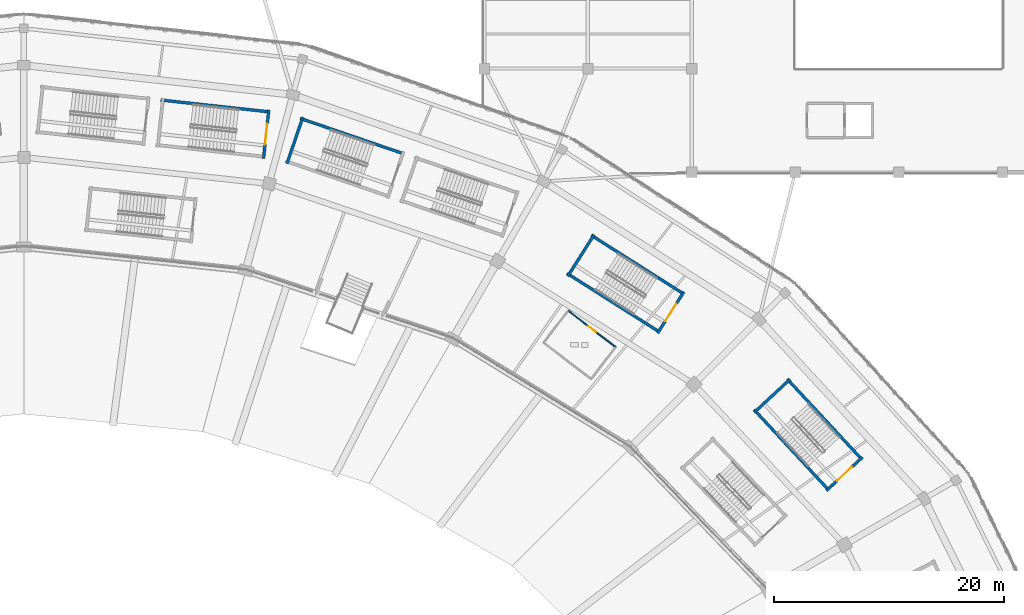
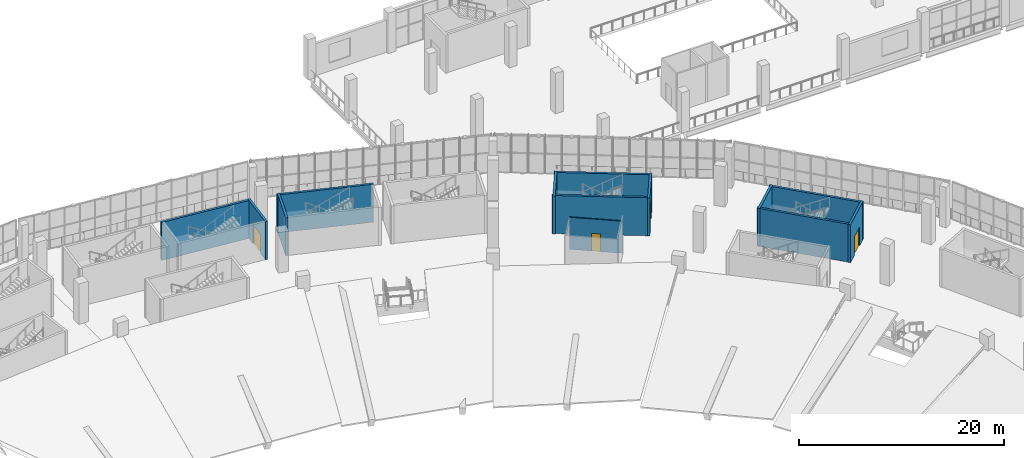
# One storey, part 111 of 183: 13 walls, 4 doors, 4 openings.
"""IFC4 building model written with IfcOpenShell, lengths in metres."""

from ifc_helpers import new_model, si_unit, direction, frame, frame_2d, origin, place, context, subcontext, project, spatial, rectangle, extrude, material, layer, layer_set, type_object, element, fill, save


model = new_model("IFC4")

# Units and contexts
model_context = context("Model", 3, precision=1e-05, world=origin(), true_north=direction((0.0, 1.0)))
body_context = subcontext(model_context, "Body", "Model", "MODEL_VIEW")
ifc_project = project(units=[si_unit("LENGTHUNIT", "METRE"), si_unit("AREAUNIT", "SQUARE_METRE"), si_unit("VOLUMEUNIT", "CUBIC_METRE"), si_unit("PLANEANGLEUNIT", "RADIAN"), si_unit("MASSUNIT", "GRAM", prefix="KILO")], contexts=[model_context])

# Site, building, storey
site_placement = place(None, origin())
site = spatial("IfcSite", under=ifc_project, at=site_placement, CompositionType="ELEMENT")
building_placement = place(site_placement, origin())
building = spatial("IfcBuilding", under=site, at=building_placement, Name="Zevraka Park Crest Stadium", CompositionType="ELEMENT")
storey_placement = place(building_placement, frame((0.0, 0.0, 5.39990234375)))
storey = spatial("IfcBuildingStorey", under=building, at=storey_placement, Name="L01", CompositionType="ELEMENT", Elevation=5.39990234375)

# Wall, opening, door
ifc_material_1 = material(Name="Moisture-resistant sanitary partition", Category="other")
ifc_layer_1 = layer(ifc_material_1, 0.1201171875)
ifc_layer_set_1 = layer_set([ifc_layer_1], Name="Moisture-resistant sanitary partition")
wall_type_1 = type_object("IfcWallType", Name="IW04", PredefinedType="PARTITIONING", material=ifc_layer_set_1)
wall_1_placement = place(storey_placement, frame((159.277099609375, 145.98388671875, 0.0), z_axis=(0.0, 0.0, 1.0), x_axis=(0.793372069794, -0.608737019468, 0.0)))
wall_1 = element("IfcWall", 1, at=wall_1_placement, inside=storey, type_object=wall_type_1, Name="Sanitary Enclosure Wall IW04 Male WC L01-001-3", PredefinedType="PARTITIONING", context=body_context, shape_type="SweptSolid", body=[
    extrude(rectangle(XDim=5.200439453125, YDim=0.1201171875, at=frame_2d((2.60009765625, 0.0))), origin(), (0.0, 0.0, 1.0), 3.815185546875),
])
opening_1_placement = place(wall_1_placement, frame((2.159912109375, 0.0, 0.0)))
opening_1 = element("IfcOpeningElement", 2, at=opening_1_placement, cuts=wall_1, Name="Opening D-L01-340", PredefinedType="OPENING", context=body_context, shape_type="SweptSolid", body=[
    extrude(rectangle(XDim=0.8798828125, YDim=2.10009765625, at=frame_2d((0.43994140625, 1.050048828125))), frame((0.0, 0.070068359375, 0.0), z_axis=(0.0, -1.0, 0.0), x_axis=(1.0, 0.0, 0.0)), (0.0, 0.0, 1.0), 0.14013671875),
])
ifc_material_2 = material(Name="Solid-core hardwood timber leaf in steel frame", Category="steel")
door_type_1 = type_object("IfcDoorType", Name="DR19", OperationType="NOTDEFINED", PredefinedType="DOOR", material=ifc_material_2)
door_1_placement = place(opening_1_placement, origin())
door_1 = element("IfcDoor", 3, at=door_1_placement, inside=storey, type_object=door_type_1, Name="Male WC Door D-L01-340", OperationType="SINGLE_SWING_RIGHT", OverallHeight=2.10009765625, OverallWidth=0.8798828125, PredefinedType="DOOR", context=body_context, shape_type="SweptSolid", body=[
    extrude(rectangle(XDim=0.8798828125, YDim=2.10009765625, at=frame_2d((0.43994140625, 1.050048828125))), frame((0.0, 0.02490234375, 0.0), z_axis=(0.0, -1.0, 0.0), x_axis=(1.0, 0.0, 0.0)), (0.0, 0.0, 1.0), 0.050048828125),
])
fill(opening_1, door_1)

# Walls
ifc_material_3 = material(Name="Concrete C40/50", Category="concrete")
ifc_layer_2 = layer(ifc_material_3, 0.25)
ifc_layer_set_2 = layer_set([ifc_layer_2], Name="Concrete C40/50")
wall_type_2 = type_object("IfcWallType", Name="SW01", PredefinedType="SHEAR", material=ifc_layer_set_2)
for number, where, z_axis, x_axis, name in (
    (4, (184.8017578125, 133.047119140625, 0.0), (0.0, 0.0, 1.0), (-0.680258890476, 0.732971924379, 0.0), "Stair Core Shear Wall SW01 ST03 L01 left"),
    (5, (175.431884765625, 137.38037109375, 0.0), (0.0, 0.0, 1.0), (0.680271637111, -0.732960094236, 0.0), "Stair Core Shear Wall SW01 ST03 L01 right"),
):
    element("IfcWall", number, at=place(storey_placement, frame(where, z_axis=z_axis, x_axis=x_axis)), inside=storey, type_object=wall_type_2, Name=name, PredefinedType="SHEAR", context=body_context, shape_type="SweptSolid", body=[
        extrude(rectangle(XDim=9.550048828125, YDim=0.25, at=frame_2d((4.77490234375, 0.0))), origin(), (0.0, 0.0, 1.0), 4.52001953125),
    ])

# Wall, opening, door
wall_2_placement = place(storey_placement, frame((181.71875, 130.3564453125, 0.0), z_axis=(0.0, 0.0, 1.0), x_axis=(0.732977166505, 0.680253242096, 0.0)))
wall_2 = element("IfcWall", 6, at=wall_2_placement, inside=storey, type_object=wall_type_2, Name="Stair Core Shear Wall SW01 ST03 L01 near", PredefinedType="SHEAR", context=body_context, shape_type="SweptSolid", body=[
    extrude(rectangle(XDim=4.260009765625, YDim=0.25, at=frame_2d((2.1298828125, 0.0))), origin(), (0.0, 0.0, 1.0), 4.52001953125),
])
opening_2_placement = place(wall_2_placement, frame((1.22998046875, 0.0, 0.0)))
opening_2 = element("IfcOpeningElement", 7, at=opening_2_placement, cuts=wall_2, Name="Opening D-L01-017", PredefinedType="OPENING", context=body_context, shape_type="SweptSolid", body=[
    extrude(rectangle(XDim=1.800048828125, YDim=2.25, at=frame_2d((0.89990234375, 1.125))), frame((0.0, 0.135009765625, 0.0), z_axis=(0.0, -1.0, 0.0), x_axis=(1.0, 0.0, 0.0)), (0.0, 0.0, 1.0), 0.27001953125),
])
ifc_material_4 = material(Name="Solid-core hardwood timber leaf in steel frame", Category="steel")
door_type_2 = type_object("IfcDoorType", Name="DR04", OperationType="NOTDEFINED", PredefinedType="DOOR", material=ifc_material_4)
door_2_placement = place(opening_2_placement, origin())
door_2 = element("IfcDoor", 8, at=door_2_placement, inside=storey, type_object=door_type_2, Name="Protected Stair Entry Door ST03 L01", OperationType="DOUBLE_DOOR_SINGLE_SWING", OverallHeight=2.25, OverallWidth=1.800048828125, PredefinedType="DOOR", context=body_context, shape_type="SweptSolid", body=[
    extrude(rectangle(XDim=1.800048828125, YDim=2.25, at=frame_2d((0.89990234375, 1.125))), frame((0.0, 0.02490234375, 0.0), z_axis=(0.0, -1.0, 0.0), x_axis=(1.0, 0.0, 0.0)), (0.0, 0.0, 1.0), 0.050048828125),
])
fill(opening_2, door_2)

# Walls
wall_3_placement = place(storey_placement, frame((178.5556640625, 140.027099609375, 0.0), z_axis=(0.0, 0.0, 1.0), x_axis=(-0.73295064559, -0.680281817433, 0.0)))
element("IfcWall", 9, at=wall_3_placement, inside=storey, type_object=wall_type_2, Name="Stair Core Shear Wall SW01 ST03 L01 far", PredefinedType="SHEAR", context=body_context, shape_type="SweptSolid", body=[
    extrude(rectangle(XDim=4.260009765625, YDim=0.25, at=frame_2d((2.1298828125, 0.0))), origin(), (0.0, 0.0, 1.0), 4.52001953125),
])
for number, where, z_axis, x_axis, name in (
    (10, (169.349853515625, 147.41455078125, 0.0), (0.0, 0.0, 1.0), (-0.844391246241, 0.535727004427, 0.0), "Stair Core Shear Wall SW01 ST04 L01 left"),
    (11, (159.18603515625, 149.220703125, 0.0), (0.0, 0.0, 1.0), (0.844391246241, -0.535727004427, 0.0), "Stair Core Shear Wall SW01 ST04 L01 right"),
):
    element("IfcWall", number, at=place(storey_placement, frame(where, z_axis=z_axis, x_axis=x_axis)), inside=storey, type_object=wall_type_2, Name=name, PredefinedType="SHEAR", context=body_context, shape_type="SweptSolid", body=[
        extrude(rectangle(XDim=9.550048828125, YDim=0.25, at=frame_2d((4.77490234375, 0.0))), origin(), (0.0, 0.0, 1.0), 4.52001953125),
    ])

# Wall, opening, door
wall_4_placement = place(storey_placement, frame((167.05322265625, 144.028076171875, 0.0), z_axis=(0.0, 0.0, 1.0), x_axis=(0.53572544074, 0.844392238325, 0.0)))
wall_4 = element("IfcWall", 12, at=wall_4_placement, inside=storey, type_object=wall_type_2, Name="Stair Core Shear Wall SW01 ST04 L01 near", PredefinedType="SHEAR", context=body_context, shape_type="SweptSolid", body=[
    extrude(rectangle(XDim=4.260009765625, YDim=0.25, at=frame_2d((2.1298828125, 0.0))), origin(), (0.0, 0.0, 1.0), 4.52001953125),
])
opening_3_placement = place(wall_4_placement, frame((1.22998046875, 0.0, 0.0)))
opening_3 = element("IfcOpeningElement", 13, at=opening_3_placement, cuts=wall_4, Name="Opening D-L01-023", PredefinedType="OPENING", context=body_context, shape_type="SweptSolid", body=[
    extrude(rectangle(XDim=1.800048828125, YDim=2.25, at=frame_2d((0.89990234375, 1.125))), frame((0.0, 0.135009765625, 0.0), z_axis=(0.0, -1.0, 0.0), x_axis=(1.0, 0.0, 0.0)), (0.0, 0.0, 1.0), 0.27001953125),
])
door_3_placement = place(opening_3_placement, origin())
door_3 = element("IfcDoor", 14, at=door_3_placement, inside=storey, type_object=door_type_2, Name="Protected Stair Entry Door ST04 L01", OperationType="DOUBLE_DOOR_SINGLE_SWING", OverallHeight=2.25, OverallWidth=1.800048828125, PredefinedType="DOOR", context=body_context, shape_type="SweptSolid", body=[
    extrude(rectangle(XDim=1.800048828125, YDim=2.25, at=frame_2d((0.89990234375, 1.125))), frame((0.0, 0.02490234375, 0.0), z_axis=(0.0, -1.0, 0.0), x_axis=(1.0, 0.0, 0.0)), (0.0, 0.0, 1.0), 0.050048828125),
])
fill(opening_3, door_3)

# Walls
wall_5_placement = place(storey_placement, frame((161.533203125, 152.5751953125, 0.0), z_axis=(0.0, 0.0, 1.0), x_axis=(-0.53572544074, -0.844392238325, 0.0)))
element("IfcWall", 15, at=wall_5_placement, inside=storey, type_object=wall_type_2, Name="Stair Core Shear Wall SW01 ST04 L01 far", PredefinedType="SHEAR", context=body_context, shape_type="SweptSolid", body=[
    extrude(rectangle(XDim=4.260009765625, YDim=0.25, at=frame_2d((2.1298828125, 0.0))), origin(), (0.0, 0.0, 1.0), 4.52001953125),
])
wall_6_placement = place(storey_placement, frame((133.38525390625, 163.243408203125, 0.0), z_axis=(0.0, 0.0, 1.0), x_axis=(-0.994127555169, 0.108214620337, 0.0)))
element("IfcWall", 16, at=wall_6_placement, inside=storey, type_object=wall_type_2, Name="Stair Core Shear Wall SW01 ST06 L01 left", PredefinedType="SHEAR", context=body_context, shape_type="SweptSolid", body=[
    extrude(rectangle(XDim=9.550048828125, YDim=0.25, at=frame_2d((4.77490234375, 0.0))), origin(), (0.0, 0.0, 1.0), 4.52001953125),
])

# Wall, opening, door
wall_7_placement = place(storey_placement, frame((132.818359375, 159.19091796875, 0.0), z_axis=(0.0, 0.0, 1.0), x_axis=(0.108198315262, 0.994129329903, 0.0)))
wall_7 = element("IfcWall", 17, at=wall_7_placement, inside=storey, type_object=wall_type_2, Name="Stair Core Shear Wall SW01 ST06 L01 near", PredefinedType="SHEAR", context=body_context, shape_type="SweptSolid", body=[
    extrude(rectangle(XDim=4.260009765625, YDim=0.25, at=frame_2d((2.1298828125, 0.0))), origin(), (0.0, 0.0, 1.0), 4.52001953125),
])
opening_4_placement = place(wall_7_placement, frame((1.22998046875, 0.0, 0.0)))
opening_4 = element("IfcOpeningElement", 18, at=opening_4_placement, cuts=wall_7, Name="Opening D-L01-034", PredefinedType="OPENING", context=body_context, shape_type="SweptSolid", body=[
    extrude(rectangle(XDim=1.800048828125, YDim=2.25, at=frame_2d((0.89990234375, 1.125))), frame((0.0, 0.135009765625, 0.0), z_axis=(0.0, -1.0, 0.0), x_axis=(1.0, 0.0, 0.0)), (0.0, 0.0, 1.0), 0.27001953125),
])
door_4_placement = place(opening_4_placement, origin())
door_4 = element("IfcDoor", 19, at=door_4_placement, inside=storey, type_object=door_type_2, Name="Protected Stair Entry Door ST06 L01", OperationType="DOUBLE_DOOR_SINGLE_SWING", OverallHeight=2.25, OverallWidth=1.800048828125, PredefinedType="DOOR", context=body_context, shape_type="SweptSolid", body=[
    extrude(rectangle(XDim=1.800048828125, YDim=2.25, at=frame_2d((0.89990234375, 1.125))), frame((0.0, 0.02490234375, 0.0), z_axis=(0.0, -1.0, 0.0), x_axis=(1.0, 0.0, 0.0)), (0.0, 0.0, 1.0), 0.050048828125),
])
fill(opening_4, door_4)

# Walls
wall_8_placement = place(storey_placement, frame((145.04248046875, 159.591796875, 0.0), z_axis=(0.0, 0.0, 1.0), x_axis=(-0.946072259645, 0.323955675256, 0.0)))
element("IfcWall", 20, at=wall_8_placement, inside=storey, type_object=wall_type_2, Name="Stair Core Shear Wall SW01 ST25 L01 left", PredefinedType="SHEAR", context=body_context, shape_type="SweptSolid", body=[
    extrude(rectangle(XDim=9.5498046875, YDim=0.25, at=frame_2d((4.77490234375, 0.0))), origin(), (0.0, 0.0, 1.0), 4.52001953125),
])
wall_9_placement = place(storey_placement, frame((136.237548828125, 162.78662109375, 0.0), z_axis=(0.0, 0.0, 1.0), x_axis=(-0.323971192516, -0.946066946056, 0.0)))
element("IfcWall", 21, at=wall_9_placement, inside=storey, type_object=wall_type_2, Name="Stair Core Shear Wall SW01 ST25 L01 far", PredefinedType="SHEAR", context=body_context, shape_type="SweptSolid", body=[
    extrude(rectangle(XDim=4.260009765625, YDim=0.25, at=frame_2d((2.1298828125, 0.0))), origin(), (0.0, 0.0, 1.0), 4.52001953125),
])

save(model, "model.ifc")
